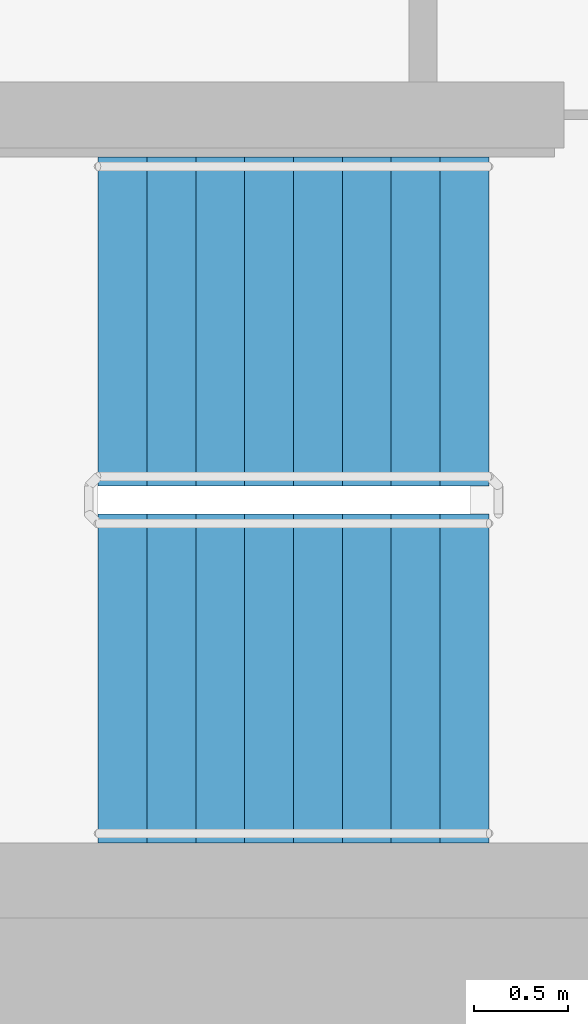
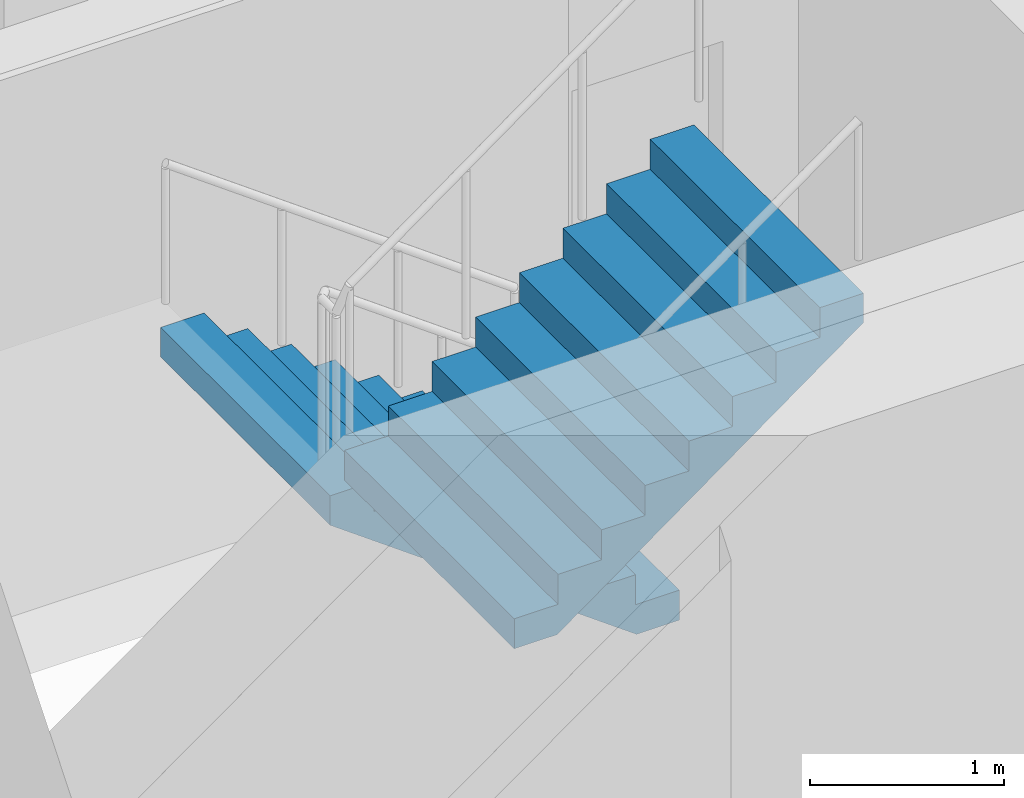
# One storey, part 13 of 19: 2 stair flights, 1 element without a shape of its own.
"""IFC4 building model written with IfcOpenShell, lengths in metres."""

from ifc_helpers import new_model, si_unit, direction, frame, origin, place, context, subcontext, project, spatial, faceted_brep, material, type_object, element, aggregate, save


model = new_model("IFC4")

# Units and contexts
model_context = context("Model", 3, precision=1e-05, world=origin(), true_north=direction((0.0, 1.0)))
body_context = subcontext(model_context, "Body", "Model", "MODEL_VIEW")
ifc_project = project(units=[si_unit("LENGTHUNIT", "METRE"), si_unit("AREAUNIT", "SQUARE_METRE"), si_unit("VOLUMEUNIT", "CUBIC_METRE"), si_unit("PLANEANGLEUNIT", "RADIAN"), si_unit("MASSUNIT", "GRAM", prefix="KILO")], contexts=[model_context])

# Site, building, storey
site_placement = place(None, origin())
site = spatial("IfcSite", under=ifc_project, at=site_placement, CompositionType="ELEMENT")
building_placement = place(site_placement, origin())
building = spatial("IfcBuilding", under=site, at=building_placement, Name="Ipe Terrace Towers", CompositionType="ELEMENT")
storey_placement = place(building_placement, frame((0.0, 0.0, 174.5)))
storey = spatial("IfcBuildingStorey", under=building, at=storey_placement, Name="L48", CompositionType="ELEMENT", Elevation=174.5)

# Stair, stair flights
ifc_material_1 = material(Name="Concrete C30/37", Category="concrete")
stair_type = type_object("IfcStairType", Name="Protected exit stair", PredefinedType="HALF_TURN_STAIR", material=ifc_material_1)
stair_placement = place(storey_placement, origin())
stair = element("IfcStair", 1, at=stair_placement, inside=storey, type_object=stair_type, Name="L48 Exit stair T1-C2", PredefinedType="HALF_TURN_STAIR")
ifc_material_2 = material(Name="Concrete C30/37", Category="concrete")
stair_flight_type = type_object("IfcStairFlightType", Name="Exit stair flight 1750", PredefinedType="STRAIGHT", material=ifc_material_2)
stair_flight_1_placement = place(storey_placement, frame((-45.699951171875, -2.77490234375, 0.0), z_axis=(0.0, 0.0, 1.0), x_axis=(-1.0, 0.0, 0.0)))
stair_flight_1 = element("IfcStairFlight", 2, at=stair_flight_1_placement, type_object=stair_flight_type, Name="T1-ST2 flight 1", NumberOfRisers=9, NumberOfTreads=8, PredefinedType="STRAIGHT", RiserHeight=0.188888889, TreadLength=0.26, context=body_context, shape_type="Brep", body=[
    faceted_brep([(0.255126953125, -0.875, 0.0), (2.080078125, -0.875, 1.325927734375), (2.080078125, -0.875, 1.51123046875), (1.820068359375, -0.875, 1.51123046875), (1.820068359375, -0.875, 1.322265625), (1.56005859375, -0.875, 1.322265625), (1.56005859375, -0.875, 1.13330078125), (1.300048828125, -0.875, 1.13330078125), (1.300048828125, -0.875, 0.9443359375), (1.0400390625, -0.875, 0.9443359375), (1.0400390625, -0.875, 0.755615234375), (0.780029296875, -0.875, 0.755615234375), (0.780029296875, -0.875, 0.566650390625), (0.52001953125, -0.875, 0.566650390625), (0.52001953125, -0.875, 0.377685546875), (0.260009765625, -0.875, 0.377685546875), (0.260009765625, -0.875, 0.18896484375), (0.0, -0.875, 0.18896484375), (0.0, -0.875, 0.0), (0.0, 0.875, 0.0), (0.0, 0.875, 0.18896484375), (0.260009765625, 0.875, 0.18896484375), (0.260009765625, 0.875, 0.377685546875), (0.52001953125, 0.875, 0.377685546875), (0.52001953125, 0.875, 0.566650390625), (0.780029296875, 0.875, 0.566650390625), (0.780029296875, 0.875, 0.755615234375), (1.0400390625, 0.875, 0.755615234375), (1.0400390625, 0.875, 0.9443359375), (1.300048828125, 0.875, 0.9443359375), (1.300048828125, 0.875, 1.13330078125), (1.56005859375, 0.875, 1.13330078125), (1.56005859375, 0.875, 1.322265625), (1.820068359375, 0.875, 1.322265625), (1.820068359375, 0.875, 1.51123046875), (2.080078125, 0.875, 1.51123046875), (2.080078125, 0.875, 1.325927734375), (0.255126953125, 0.875, 0.0), (0.0, -0.300048828125, 0.18896484375), (0.0, -0.1201171875, 0.18896484375), (0.0, -0.06005859375, 0.18896484375), (0.0, -0.030029296875, 0.18896484375), (0.0, -0.010009765625, 0.18896484375), (0.0, 0.0, 0.18896484375), (0.0, 0.010009765625, 0.18896484375), (0.0, 0.030029296875, 0.18896484375), (0.0, 0.06005859375, 0.18896484375), (0.0, 0.1201171875, 0.18896484375), (0.0, 0.300048828125, 0.18896484375), (0.0, 0.300048828125, 0.0), (0.0, 0.1201171875, 0.0), (0.0, 0.06005859375, 0.0), (0.0, 0.030029296875, 0.0), (0.0, 0.010009765625, 0.0), (0.0, 0.0, 0.0), (0.0, -0.010009765625, 0.0), (0.0, -0.030029296875, 0.0), (0.0, -0.06005859375, 0.0), (0.0, -0.1201171875, 0.0), (0.0, -0.300048828125, 0.0), (0.260009765625, -0.300048828125, 0.18896484375), (0.260009765625, -0.1201171875, 0.18896484375), (0.260009765625, -0.06005859375, 0.18896484375), (0.260009765625, -0.030029296875, 0.18896484375), (0.260009765625, -0.010009765625, 0.18896484375), (0.260009765625, 0.0, 0.18896484375), (0.260009765625, 0.010009765625, 0.18896484375), (0.260009765625, 0.030029296875, 0.18896484375), (0.260009765625, 0.06005859375, 0.18896484375), (0.260009765625, 0.1201171875, 0.18896484375), (0.260009765625, 0.300048828125, 0.18896484375), (0.260009765625, -0.300048828125, 0.377685546875), (0.260009765625, -0.1201171875, 0.377685546875), (0.260009765625, -0.06005859375, 0.377685546875), (0.260009765625, -0.030029296875, 0.377685546875), (0.260009765625, -0.010009765625, 0.377685546875), (0.260009765625, 0.0, 0.377685546875), (0.260009765625, 0.010009765625, 0.377685546875), (0.260009765625, 0.030029296875, 0.377685546875), (0.260009765625, 0.06005859375, 0.377685546875), (0.260009765625, 0.1201171875, 0.377685546875), (0.260009765625, 0.300048828125, 0.377685546875), (0.52001953125, -0.300048828125, 0.377685546875), (0.52001953125, -0.1201171875, 0.377685546875), (0.52001953125, -0.06005859375, 0.377685546875), (0.52001953125, -0.030029296875, 0.377685546875), (0.52001953125, -0.010009765625, 0.377685546875), (0.52001953125, 0.0, 0.377685546875), (0.52001953125, 0.010009765625, 0.377685546875), (0.52001953125, 0.030029296875, 0.377685546875), (0.52001953125, 0.06005859375, 0.377685546875), (0.52001953125, 0.1201171875, 0.377685546875), (0.52001953125, 0.300048828125, 0.377685546875), (0.52001953125, -0.300048828125, 0.566650390625), (0.52001953125, -0.1201171875, 0.566650390625), (0.52001953125, -0.06005859375, 0.566650390625), (0.52001953125, -0.030029296875, 0.566650390625), (0.52001953125, -0.010009765625, 0.566650390625), (0.52001953125, 0.0, 0.566650390625), (0.52001953125, 0.010009765625, 0.566650390625), (0.52001953125, 0.030029296875, 0.566650390625), (0.52001953125, 0.06005859375, 0.566650390625), (0.52001953125, 0.1201171875, 0.566650390625), (0.52001953125, 0.300048828125, 0.566650390625), (0.780029296875, -0.300048828125, 0.566650390625), (0.780029296875, -0.1201171875, 0.566650390625), (0.780029296875, -0.06005859375, 0.566650390625), (0.780029296875, -0.030029296875, 0.566650390625), (0.780029296875, -0.010009765625, 0.566650390625), (0.780029296875, 0.0, 0.566650390625), (0.780029296875, 0.010009765625, 0.566650390625), (0.780029296875, 0.030029296875, 0.566650390625), (0.780029296875, 0.06005859375, 0.566650390625), (0.780029296875, 0.1201171875, 0.566650390625), (0.780029296875, 0.300048828125, 0.566650390625), (0.780029296875, -0.300048828125, 0.755615234375), (0.780029296875, -0.1201171875, 0.755615234375), (0.780029296875, -0.06005859375, 0.755615234375), (0.780029296875, -0.030029296875, 0.755615234375), (0.780029296875, -0.010009765625, 0.755615234375), (0.780029296875, 0.0, 0.755615234375), (0.780029296875, 0.010009765625, 0.755615234375), (0.780029296875, 0.030029296875, 0.755615234375), (0.780029296875, 0.06005859375, 0.755615234375), (0.780029296875, 0.1201171875, 0.755615234375), (0.780029296875, 0.300048828125, 0.755615234375), (1.0400390625, -0.300048828125, 0.755615234375), (1.0400390625, -0.1201171875, 0.755615234375), (1.0400390625, -0.06005859375, 0.755615234375), (1.0400390625, -0.030029296875, 0.755615234375), (1.0400390625, -0.010009765625, 0.755615234375), (1.0400390625, 0.0, 0.755615234375), (1.0400390625, 0.010009765625, 0.755615234375), (1.0400390625, 0.030029296875, 0.755615234375), (1.0400390625, 0.06005859375, 0.755615234375), (1.0400390625, 0.1201171875, 0.755615234375), (1.0400390625, 0.300048828125, 0.755615234375), (1.0400390625, -0.300048828125, 0.9443359375), (1.0400390625, -0.1201171875, 0.9443359375), (1.0400390625, -0.06005859375, 0.9443359375), (1.0400390625, -0.030029296875, 0.9443359375), (1.0400390625, -0.010009765625, 0.9443359375), (1.0400390625, 0.0, 0.9443359375), (1.0400390625, 0.010009765625, 0.9443359375), (1.0400390625, 0.030029296875, 0.9443359375), (1.0400390625, 0.06005859375, 0.9443359375), (1.0400390625, 0.1201171875, 0.9443359375), (1.0400390625, 0.300048828125, 0.9443359375), (1.300048828125, -0.300048828125, 0.9443359375), (1.300048828125, -0.1201171875, 0.9443359375), (1.300048828125, -0.06005859375, 0.9443359375), (1.300048828125, -0.030029296875, 0.9443359375), (1.300048828125, -0.010009765625, 0.9443359375), (1.300048828125, 0.0, 0.9443359375), (1.300048828125, 0.010009765625, 0.9443359375), (1.300048828125, 0.030029296875, 0.9443359375), (1.300048828125, 0.06005859375, 0.9443359375), (1.300048828125, 0.1201171875, 0.9443359375), (1.300048828125, 0.300048828125, 0.9443359375), (1.300048828125, -0.300048828125, 1.13330078125), (1.300048828125, -0.1201171875, 1.13330078125), (1.300048828125, -0.06005859375, 1.13330078125), (1.300048828125, -0.030029296875, 1.13330078125), (1.300048828125, -0.010009765625, 1.13330078125), (1.300048828125, 0.0, 1.13330078125), (1.300048828125, 0.010009765625, 1.13330078125), (1.300048828125, 0.030029296875, 1.13330078125), (1.300048828125, 0.06005859375, 1.13330078125), (1.300048828125, 0.1201171875, 1.13330078125), (1.300048828125, 0.300048828125, 1.13330078125), (1.56005859375, -0.300048828125, 1.13330078125), (1.56005859375, -0.1201171875, 1.13330078125), (1.56005859375, -0.06005859375, 1.13330078125), (1.56005859375, -0.030029296875, 1.13330078125), (1.56005859375, -0.010009765625, 1.13330078125), (1.56005859375, 0.0, 1.13330078125), (1.56005859375, 0.010009765625, 1.13330078125), (1.56005859375, 0.030029296875, 1.13330078125), (1.56005859375, 0.06005859375, 1.13330078125), (1.56005859375, 0.1201171875, 1.13330078125), (1.56005859375, 0.300048828125, 1.13330078125), (1.56005859375, -0.300048828125, 1.322265625), (1.56005859375, -0.1201171875, 1.322265625), (1.56005859375, -0.06005859375, 1.322265625), (1.56005859375, -0.030029296875, 1.322265625), (1.56005859375, -0.010009765625, 1.322265625), (1.56005859375, 0.0, 1.322265625), (1.56005859375, 0.010009765625, 1.322265625), (1.56005859375, 0.030029296875, 1.322265625), (1.56005859375, 0.06005859375, 1.322265625), (1.56005859375, 0.1201171875, 1.322265625), (1.56005859375, 0.300048828125, 1.322265625), (1.820068359375, -0.300048828125, 1.322265625), (1.820068359375, -0.1201171875, 1.322265625), (1.820068359375, -0.06005859375, 1.322265625), (1.820068359375, -0.030029296875, 1.322265625), (1.820068359375, -0.010009765625, 1.322265625), (1.820068359375, 0.0, 1.322265625), (1.820068359375, 0.010009765625, 1.322265625), (1.820068359375, 0.030029296875, 1.322265625), (1.820068359375, 0.06005859375, 1.322265625), (1.820068359375, 0.1201171875, 1.322265625), (1.820068359375, 0.300048828125, 1.322265625), (1.820068359375, -0.300048828125, 1.51123046875), (1.820068359375, -0.1201171875, 1.51123046875), (1.820068359375, -0.06005859375, 1.51123046875), (1.820068359375, -0.030029296875, 1.51123046875), (1.820068359375, -0.010009765625, 1.51123046875), (1.820068359375, 0.0, 1.51123046875), (1.820068359375, 0.010009765625, 1.51123046875), (1.820068359375, 0.030029296875, 1.51123046875), (1.820068359375, 0.06005859375, 1.51123046875), (1.820068359375, 0.1201171875, 1.51123046875), (1.820068359375, 0.300048828125, 1.51123046875), (2.080078125, -0.300048828125, 1.51123046875), (2.080078125, -0.1201171875, 1.51123046875), (2.080078125, -0.06005859375, 1.51123046875), (2.080078125, -0.030029296875, 1.51123046875), (2.080078125, -0.010009765625, 1.51123046875), (2.080078125, 0.0, 1.51123046875), (2.080078125, 0.010009765625, 1.51123046875), (2.080078125, 0.030029296875, 1.51123046875), (2.080078125, 0.06005859375, 1.51123046875), (2.080078125, 0.1201171875, 1.51123046875), (2.080078125, 0.300048828125, 1.51123046875), (2.080078125, -0.300048828125, 1.325927734375), (2.080078125, -0.1201171875, 1.325927734375), (2.080078125, -0.06005859375, 1.325927734375), (2.080078125, -0.030029296875, 1.325927734375), (2.080078125, -0.010009765625, 1.325927734375), (2.080078125, 0.0, 1.325927734375), (2.080078125, 0.010009765625, 1.325927734375), (2.080078125, 0.030029296875, 1.325927734375), (2.080078125, 0.06005859375, 1.325927734375), (2.080078125, 0.1201171875, 1.325927734375), (2.080078125, 0.300048828125, 1.325927734375), (0.255126953125, -0.300048828125, 0.0), (0.255126953125, -0.1201171875, 0.0), (0.255126953125, -0.06005859375, 0.0), (0.255126953125, -0.030029296875, 0.0), (0.255126953125, -0.010009765625, 0.0), (0.255126953125, 0.0, 0.0), (0.255126953125, 0.010009765625, 0.0), (0.255126953125, 0.030029296875, 0.0), (0.255126953125, 0.06005859375, 0.0), (0.255126953125, 0.1201171875, 0.0), (0.255126953125, 0.300048828125, 0.0)], [[[0, 1, 2, 3, 4, 5, 6, 7, 8, 9, 10, 11, 12, 13, 14, 15, 16, 17, 18]], [[19, 20, 21, 22, 23, 24, 25, 26, 27, 28, 29, 30, 31, 32, 33, 34, 35, 36, 37]], [[17, 38, 39, 40, 41, 42, 43, 44, 45, 46, 47, 48, 20, 19, 49, 50, 51, 52, 53, 54, 55, 56, 57, 58, 59, 18]], [[16, 60, 61, 62, 63, 64, 65, 66, 67, 68, 69, 70, 21, 20, 48, 47, 46, 45, 44, 43, 42, 41, 40, 39, 38, 17]], [[15, 71, 72, 73, 74, 75, 76, 77, 78, 79, 80, 81, 22, 21, 70, 69, 68, 67, 66, 65, 64, 63, 62, 61, 60, 16]], [[14, 82, 83, 84, 85, 86, 87, 88, 89, 90, 91, 92, 23, 22, 81, 80, 79, 78, 77, 76, 75, 74, 73, 72, 71, 15]], [[13, 93, 94, 95, 96, 97, 98, 99, 100, 101, 102, 103, 24, 23, 92, 91, 90, 89, 88, 87, 86, 85, 84, 83, 82, 14]], [[12, 104, 105, 106, 107, 108, 109, 110, 111, 112, 113, 114, 25, 24, 103, 102, 101, 100, 99, 98, 97, 96, 95, 94, 93, 13]], [[11, 115, 116, 117, 118, 119, 120, 121, 122, 123, 124, 125, 26, 25, 114, 113, 112, 111, 110, 109, 108, 107, 106, 105, 104, 12]], [[10, 126, 127, 128, 129, 130, 131, 132, 133, 134, 135, 136, 27, 26, 125, 124, 123, 122, 121, 120, 119, 118, 117, 116, 115, 11]], [[9, 137, 138, 139, 140, 141, 142, 143, 144, 145, 146, 147, 28, 27, 136, 135, 134, 133, 132, 131, 130, 129, 128, 127, 126, 10]], [[8, 148, 149, 150, 151, 152, 153, 154, 155, 156, 157, 158, 29, 28, 147, 146, 145, 144, 143, 142, 141, 140, 139, 138, 137, 9]], [[7, 159, 160, 161, 162, 163, 164, 165, 166, 167, 168, 169, 30, 29, 158, 157, 156, 155, 154, 153, 152, 151, 150, 149, 148, 8]], [[6, 170, 171, 172, 173, 174, 175, 176, 177, 178, 179, 180, 31, 30, 169, 168, 167, 166, 165, 164, 163, 162, 161, 160, 159, 7]], [[5, 181, 182, 183, 184, 185, 186, 187, 188, 189, 190, 191, 32, 31, 180, 179, 178, 177, 176, 175, 174, 173, 172, 171, 170, 6]], [[4, 192, 193, 194, 195, 196, 197, 198, 199, 200, 201, 202, 33, 32, 191, 190, 189, 188, 187, 186, 185, 184, 183, 182, 181, 5]], [[3, 203, 204, 205, 206, 207, 208, 209, 210, 211, 212, 213, 34, 33, 202, 201, 200, 199, 198, 197, 196, 195, 194, 193, 192, 4]], [[2, 214, 215, 216, 217, 218, 219, 220, 221, 222, 223, 224, 35, 34, 213, 212, 211, 210, 209, 208, 207, 206, 205, 204, 203, 3]], [[1, 225, 226, 227, 228, 229, 230, 231, 232, 233, 234, 235, 36, 35, 224, 223, 222, 221, 220, 219, 218, 217, 216, 215, 214, 2]], [[0, 236, 237, 238, 239, 240, 241, 242, 243, 244, 245, 246, 37, 36, 235, 234, 233, 232, 231, 230, 229, 228, 227, 226, 225, 1]], [[18, 59, 58, 57, 56, 55, 54, 53, 52, 51, 50, 49, 19, 37, 246, 245, 244, 243, 242, 241, 240, 239, 238, 237, 236, 0]]]),
])
stair_flight_2_placement = place(storey_placement, frame((-47.780029296875, -4.675048828125, 1.699951171875), z_axis=(0.0, 0.0, 1.0), x_axis=(1.0, 0.0, 0.0)))
stair_flight_2 = element("IfcStairFlight", 3, at=stair_flight_2_placement, type_object=stair_flight_type, Name="T1-ST2 flight 2", NumberOfRisers=9, NumberOfTreads=8, PredefinedType="STRAIGHT", RiserHeight=0.188888889, TreadLength=0.26, context=body_context, shape_type="Brep", body=[
    faceted_brep([(0.255126953125, -0.875, 0.0), (2.080078125, -0.875, 1.325927734375), (2.080078125, -0.875, 1.51123046875), (1.820068359375, -0.875, 1.51123046875), (1.820068359375, -0.875, 1.322265625), (1.56005859375, -0.875, 1.322265625), (1.56005859375, -0.875, 1.13330078125), (1.300048828125, -0.875, 1.13330078125), (1.300048828125, -0.875, 0.9443359375), (1.0400390625, -0.875, 0.9443359375), (1.0400390625, -0.875, 0.755615234375), (0.780029296875, -0.875, 0.755615234375), (0.780029296875, -0.875, 0.566650390625), (0.52001953125, -0.875, 0.566650390625), (0.52001953125, -0.875, 0.377685546875), (0.260009765625, -0.875, 0.377685546875), (0.260009765625, -0.875, 0.18896484375), (0.0, -0.875, 0.18896484375), (0.0, -0.875, 0.0), (0.0, 0.875, 0.0), (0.0, 0.875, 0.18896484375), (0.260009765625, 0.875, 0.18896484375), (0.260009765625, 0.875, 0.377685546875), (0.52001953125, 0.875, 0.377685546875), (0.52001953125, 0.875, 0.566650390625), (0.780029296875, 0.875, 0.566650390625), (0.780029296875, 0.875, 0.755615234375), (1.0400390625, 0.875, 0.755615234375), (1.0400390625, 0.875, 0.9443359375), (1.300048828125, 0.875, 0.9443359375), (1.300048828125, 0.875, 1.13330078125), (1.56005859375, 0.875, 1.13330078125), (1.56005859375, 0.875, 1.322265625), (1.820068359375, 0.875, 1.322265625), (1.820068359375, 0.875, 1.51123046875), (2.080078125, 0.875, 1.51123046875), (2.080078125, 0.875, 1.325927734375), (0.255126953125, 0.875, 0.0), (0.0, -0.300048828125, 0.18896484375), (0.0, -0.1201171875, 0.18896484375), (0.0, -0.06005859375, 0.18896484375), (0.0, -0.030029296875, 0.18896484375), (0.0, -0.010009765625, 0.18896484375), (0.0, 0.0, 0.18896484375), (0.0, 0.010009765625, 0.18896484375), (0.0, 0.030029296875, 0.18896484375), (0.0, 0.06005859375, 0.18896484375), (0.0, 0.1201171875, 0.18896484375), (0.0, 0.300048828125, 0.18896484375), (0.0, 0.300048828125, 0.0), (0.0, 0.1201171875, 0.0), (0.0, 0.06005859375, 0.0), (0.0, 0.030029296875, 0.0), (0.0, 0.010009765625, 0.0), (0.0, 0.0, 0.0), (0.0, -0.010009765625, 0.0), (0.0, -0.030029296875, 0.0), (0.0, -0.06005859375, 0.0), (0.0, -0.1201171875, 0.0), (0.0, -0.300048828125, 0.0), (0.260009765625, -0.300048828125, 0.18896484375), (0.260009765625, -0.1201171875, 0.18896484375), (0.260009765625, -0.06005859375, 0.18896484375), (0.260009765625, -0.030029296875, 0.18896484375), (0.260009765625, -0.010009765625, 0.18896484375), (0.260009765625, 0.0, 0.18896484375), (0.260009765625, 0.010009765625, 0.18896484375), (0.260009765625, 0.030029296875, 0.18896484375), (0.260009765625, 0.06005859375, 0.18896484375), (0.260009765625, 0.1201171875, 0.18896484375), (0.260009765625, 0.300048828125, 0.18896484375), (0.260009765625, -0.300048828125, 0.377685546875), (0.260009765625, -0.1201171875, 0.377685546875), (0.260009765625, -0.06005859375, 0.377685546875), (0.260009765625, -0.030029296875, 0.377685546875), (0.260009765625, -0.010009765625, 0.377685546875), (0.260009765625, 0.0, 0.377685546875), (0.260009765625, 0.010009765625, 0.377685546875), (0.260009765625, 0.030029296875, 0.377685546875), (0.260009765625, 0.06005859375, 0.377685546875), (0.260009765625, 0.1201171875, 0.377685546875), (0.260009765625, 0.300048828125, 0.377685546875), (0.52001953125, -0.300048828125, 0.377685546875), (0.52001953125, -0.1201171875, 0.377685546875), (0.52001953125, -0.06005859375, 0.377685546875), (0.52001953125, -0.030029296875, 0.377685546875), (0.52001953125, -0.010009765625, 0.377685546875), (0.52001953125, 0.0, 0.377685546875), (0.52001953125, 0.010009765625, 0.377685546875), (0.52001953125, 0.030029296875, 0.377685546875), (0.52001953125, 0.06005859375, 0.377685546875), (0.52001953125, 0.1201171875, 0.377685546875), (0.52001953125, 0.300048828125, 0.377685546875), (0.52001953125, -0.300048828125, 0.566650390625), (0.52001953125, -0.1201171875, 0.566650390625), (0.52001953125, -0.06005859375, 0.566650390625), (0.52001953125, -0.030029296875, 0.566650390625), (0.52001953125, -0.010009765625, 0.566650390625), (0.52001953125, 0.0, 0.566650390625), (0.52001953125, 0.010009765625, 0.566650390625), (0.52001953125, 0.030029296875, 0.566650390625), (0.52001953125, 0.06005859375, 0.566650390625), (0.52001953125, 0.1201171875, 0.566650390625), (0.52001953125, 0.300048828125, 0.566650390625), (0.780029296875, -0.300048828125, 0.566650390625), (0.780029296875, -0.1201171875, 0.566650390625), (0.780029296875, -0.06005859375, 0.566650390625), (0.780029296875, -0.030029296875, 0.566650390625), (0.780029296875, -0.010009765625, 0.566650390625), (0.780029296875, 0.0, 0.566650390625), (0.780029296875, 0.010009765625, 0.566650390625), (0.780029296875, 0.030029296875, 0.566650390625), (0.780029296875, 0.06005859375, 0.566650390625), (0.780029296875, 0.1201171875, 0.566650390625), (0.780029296875, 0.300048828125, 0.566650390625), (0.780029296875, -0.300048828125, 0.755615234375), (0.780029296875, -0.1201171875, 0.755615234375), (0.780029296875, -0.06005859375, 0.755615234375), (0.780029296875, -0.030029296875, 0.755615234375), (0.780029296875, -0.010009765625, 0.755615234375), (0.780029296875, 0.0, 0.755615234375), (0.780029296875, 0.010009765625, 0.755615234375), (0.780029296875, 0.030029296875, 0.755615234375), (0.780029296875, 0.06005859375, 0.755615234375), (0.780029296875, 0.1201171875, 0.755615234375), (0.780029296875, 0.300048828125, 0.755615234375), (1.0400390625, -0.300048828125, 0.755615234375), (1.0400390625, -0.1201171875, 0.755615234375), (1.0400390625, -0.06005859375, 0.755615234375), (1.0400390625, -0.030029296875, 0.755615234375), (1.0400390625, -0.010009765625, 0.755615234375), (1.0400390625, 0.0, 0.755615234375), (1.0400390625, 0.010009765625, 0.755615234375), (1.0400390625, 0.030029296875, 0.755615234375), (1.0400390625, 0.06005859375, 0.755615234375), (1.0400390625, 0.1201171875, 0.755615234375), (1.0400390625, 0.300048828125, 0.755615234375), (1.0400390625, -0.300048828125, 0.9443359375), (1.0400390625, -0.1201171875, 0.9443359375), (1.0400390625, -0.06005859375, 0.9443359375), (1.0400390625, -0.030029296875, 0.9443359375), (1.0400390625, -0.010009765625, 0.9443359375), (1.0400390625, 0.0, 0.9443359375), (1.0400390625, 0.010009765625, 0.9443359375), (1.0400390625, 0.030029296875, 0.9443359375), (1.0400390625, 0.06005859375, 0.9443359375), (1.0400390625, 0.1201171875, 0.9443359375), (1.0400390625, 0.300048828125, 0.9443359375), (1.300048828125, -0.300048828125, 0.9443359375), (1.300048828125, -0.1201171875, 0.9443359375), (1.300048828125, -0.06005859375, 0.9443359375), (1.300048828125, -0.030029296875, 0.9443359375), (1.300048828125, -0.010009765625, 0.9443359375), (1.300048828125, 0.0, 0.9443359375), (1.300048828125, 0.010009765625, 0.9443359375), (1.300048828125, 0.030029296875, 0.9443359375), (1.300048828125, 0.06005859375, 0.9443359375), (1.300048828125, 0.1201171875, 0.9443359375), (1.300048828125, 0.300048828125, 0.9443359375), (1.300048828125, -0.300048828125, 1.13330078125), (1.300048828125, -0.1201171875, 1.13330078125), (1.300048828125, -0.06005859375, 1.13330078125), (1.300048828125, -0.030029296875, 1.13330078125), (1.300048828125, -0.010009765625, 1.13330078125), (1.300048828125, 0.0, 1.13330078125), (1.300048828125, 0.010009765625, 1.13330078125), (1.300048828125, 0.030029296875, 1.13330078125), (1.300048828125, 0.06005859375, 1.13330078125), (1.300048828125, 0.1201171875, 1.13330078125), (1.300048828125, 0.300048828125, 1.13330078125), (1.56005859375, -0.300048828125, 1.13330078125), (1.56005859375, -0.1201171875, 1.13330078125), (1.56005859375, -0.06005859375, 1.13330078125), (1.56005859375, -0.030029296875, 1.13330078125), (1.56005859375, -0.010009765625, 1.13330078125), (1.56005859375, 0.0, 1.13330078125), (1.56005859375, 0.010009765625, 1.13330078125), (1.56005859375, 0.030029296875, 1.13330078125), (1.56005859375, 0.06005859375, 1.13330078125), (1.56005859375, 0.1201171875, 1.13330078125), (1.56005859375, 0.300048828125, 1.13330078125), (1.56005859375, -0.300048828125, 1.322265625), (1.56005859375, -0.1201171875, 1.322265625), (1.56005859375, -0.06005859375, 1.322265625), (1.56005859375, -0.030029296875, 1.322265625), (1.56005859375, -0.010009765625, 1.322265625), (1.56005859375, 0.0, 1.322265625), (1.56005859375, 0.010009765625, 1.322265625), (1.56005859375, 0.030029296875, 1.322265625), (1.56005859375, 0.06005859375, 1.322265625), (1.56005859375, 0.1201171875, 1.322265625), (1.56005859375, 0.300048828125, 1.322265625), (1.820068359375, -0.300048828125, 1.322265625), (1.820068359375, -0.1201171875, 1.322265625), (1.820068359375, -0.06005859375, 1.322265625), (1.820068359375, -0.030029296875, 1.322265625), (1.820068359375, -0.010009765625, 1.322265625), (1.820068359375, 0.0, 1.322265625), (1.820068359375, 0.010009765625, 1.322265625), (1.820068359375, 0.030029296875, 1.322265625), (1.820068359375, 0.06005859375, 1.322265625), (1.820068359375, 0.1201171875, 1.322265625), (1.820068359375, 0.300048828125, 1.322265625), (1.820068359375, -0.300048828125, 1.51123046875), (1.820068359375, -0.1201171875, 1.51123046875), (1.820068359375, -0.06005859375, 1.51123046875), (1.820068359375, -0.030029296875, 1.51123046875), (1.820068359375, -0.010009765625, 1.51123046875), (1.820068359375, 0.0, 1.51123046875), (1.820068359375, 0.010009765625, 1.51123046875), (1.820068359375, 0.030029296875, 1.51123046875), (1.820068359375, 0.06005859375, 1.51123046875), (1.820068359375, 0.1201171875, 1.51123046875), (1.820068359375, 0.300048828125, 1.51123046875), (2.080078125, -0.300048828125, 1.51123046875), (2.080078125, -0.1201171875, 1.51123046875), (2.080078125, -0.06005859375, 1.51123046875), (2.080078125, -0.030029296875, 1.51123046875), (2.080078125, -0.010009765625, 1.51123046875), (2.080078125, 0.0, 1.51123046875), (2.080078125, 0.010009765625, 1.51123046875), (2.080078125, 0.030029296875, 1.51123046875), (2.080078125, 0.06005859375, 1.51123046875), (2.080078125, 0.1201171875, 1.51123046875), (2.080078125, 0.300048828125, 1.51123046875), (2.080078125, -0.300048828125, 1.325927734375), (2.080078125, -0.1201171875, 1.325927734375), (2.080078125, -0.06005859375, 1.325927734375), (2.080078125, -0.030029296875, 1.325927734375), (2.080078125, -0.010009765625, 1.325927734375), (2.080078125, 0.0, 1.325927734375), (2.080078125, 0.010009765625, 1.325927734375), (2.080078125, 0.030029296875, 1.325927734375), (2.080078125, 0.06005859375, 1.325927734375), (2.080078125, 0.1201171875, 1.325927734375), (2.080078125, 0.300048828125, 1.325927734375), (0.255126953125, -0.300048828125, 0.0), (0.255126953125, -0.1201171875, 0.0), (0.255126953125, -0.06005859375, 0.0), (0.255126953125, -0.030029296875, 0.0), (0.255126953125, -0.010009765625, 0.0), (0.255126953125, 0.0, 0.0), (0.255126953125, 0.010009765625, 0.0), (0.255126953125, 0.030029296875, 0.0), (0.255126953125, 0.06005859375, 0.0), (0.255126953125, 0.1201171875, 0.0), (0.255126953125, 0.300048828125, 0.0)], [[[0, 1, 2, 3, 4, 5, 6, 7, 8, 9, 10, 11, 12, 13, 14, 15, 16, 17, 18]], [[19, 20, 21, 22, 23, 24, 25, 26, 27, 28, 29, 30, 31, 32, 33, 34, 35, 36, 37]], [[17, 38, 39, 40, 41, 42, 43, 44, 45, 46, 47, 48, 20, 19, 49, 50, 51, 52, 53, 54, 55, 56, 57, 58, 59, 18]], [[16, 60, 61, 62, 63, 64, 65, 66, 67, 68, 69, 70, 21, 20, 48, 47, 46, 45, 44, 43, 42, 41, 40, 39, 38, 17]], [[15, 71, 72, 73, 74, 75, 76, 77, 78, 79, 80, 81, 22, 21, 70, 69, 68, 67, 66, 65, 64, 63, 62, 61, 60, 16]], [[14, 82, 83, 84, 85, 86, 87, 88, 89, 90, 91, 92, 23, 22, 81, 80, 79, 78, 77, 76, 75, 74, 73, 72, 71, 15]], [[13, 93, 94, 95, 96, 97, 98, 99, 100, 101, 102, 103, 24, 23, 92, 91, 90, 89, 88, 87, 86, 85, 84, 83, 82, 14]], [[12, 104, 105, 106, 107, 108, 109, 110, 111, 112, 113, 114, 25, 24, 103, 102, 101, 100, 99, 98, 97, 96, 95, 94, 93, 13]], [[11, 115, 116, 117, 118, 119, 120, 121, 122, 123, 124, 125, 26, 25, 114, 113, 112, 111, 110, 109, 108, 107, 106, 105, 104, 12]], [[10, 126, 127, 128, 129, 130, 131, 132, 133, 134, 135, 136, 27, 26, 125, 124, 123, 122, 121, 120, 119, 118, 117, 116, 115, 11]], [[9, 137, 138, 139, 140, 141, 142, 143, 144, 145, 146, 147, 28, 27, 136, 135, 134, 133, 132, 131, 130, 129, 128, 127, 126, 10]], [[8, 148, 149, 150, 151, 152, 153, 154, 155, 156, 157, 158, 29, 28, 147, 146, 145, 144, 143, 142, 141, 140, 139, 138, 137, 9]], [[7, 159, 160, 161, 162, 163, 164, 165, 166, 167, 168, 169, 30, 29, 158, 157, 156, 155, 154, 153, 152, 151, 150, 149, 148, 8]], [[6, 170, 171, 172, 173, 174, 175, 176, 177, 178, 179, 180, 31, 30, 169, 168, 167, 166, 165, 164, 163, 162, 161, 160, 159, 7]], [[5, 181, 182, 183, 184, 185, 186, 187, 188, 189, 190, 191, 32, 31, 180, 179, 178, 177, 176, 175, 174, 173, 172, 171, 170, 6]], [[4, 192, 193, 194, 195, 196, 197, 198, 199, 200, 201, 202, 33, 32, 191, 190, 189, 188, 187, 186, 185, 184, 183, 182, 181, 5]], [[3, 203, 204, 205, 206, 207, 208, 209, 210, 211, 212, 213, 34, 33, 202, 201, 200, 199, 198, 197, 196, 195, 194, 193, 192, 4]], [[2, 214, 215, 216, 217, 218, 219, 220, 221, 222, 223, 224, 35, 34, 213, 212, 211, 210, 209, 208, 207, 206, 205, 204, 203, 3]], [[1, 225, 226, 227, 228, 229, 230, 231, 232, 233, 234, 235, 36, 35, 224, 223, 222, 221, 220, 219, 218, 217, 216, 215, 214, 2]], [[0, 236, 237, 238, 239, 240, 241, 242, 243, 244, 245, 246, 37, 36, 235, 234, 233, 232, 231, 230, 229, 228, 227, 226, 225, 1]], [[18, 59, 58, 57, 56, 55, 54, 53, 52, 51, 50, 49, 19, 37, 246, 245, 244, 243, 242, 241, 240, 239, 238, 237, 236, 0]]]),
])
aggregate(stair, [stair_flight_1, stair_flight_2])

save(model, "model.ifc")
